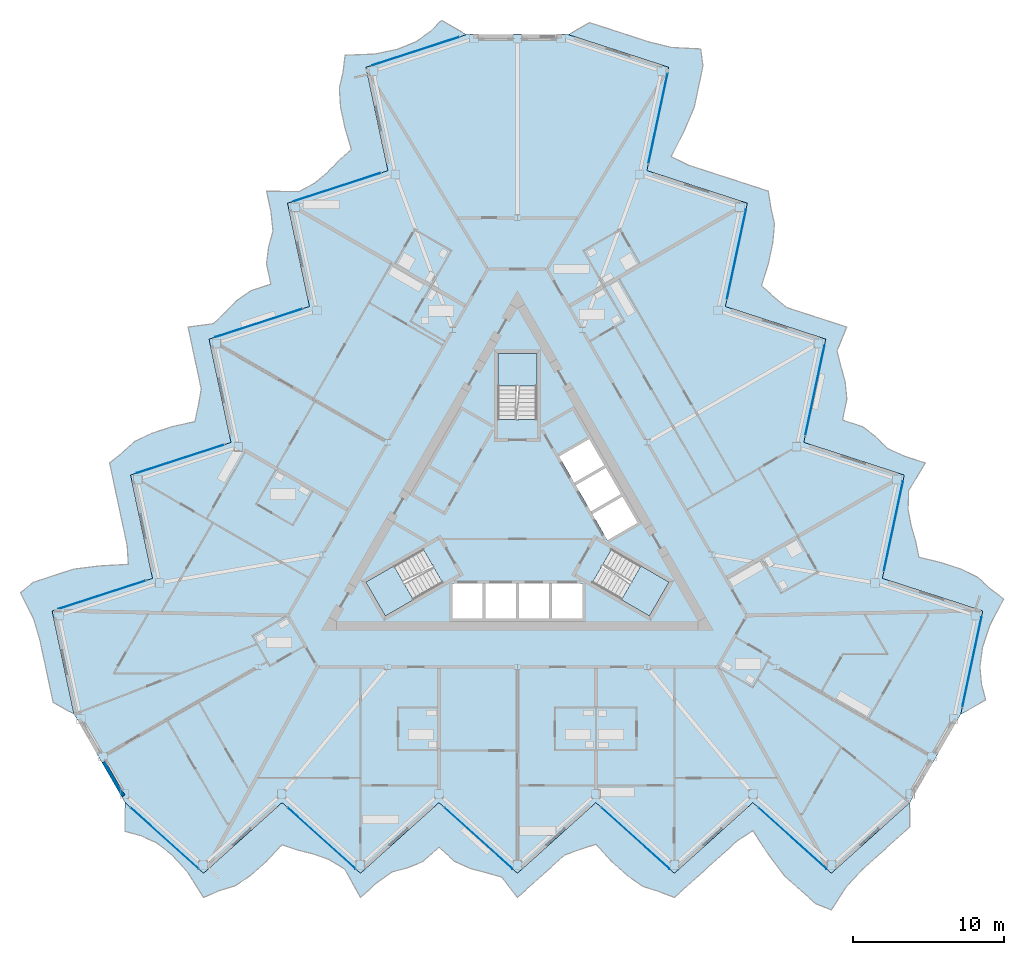
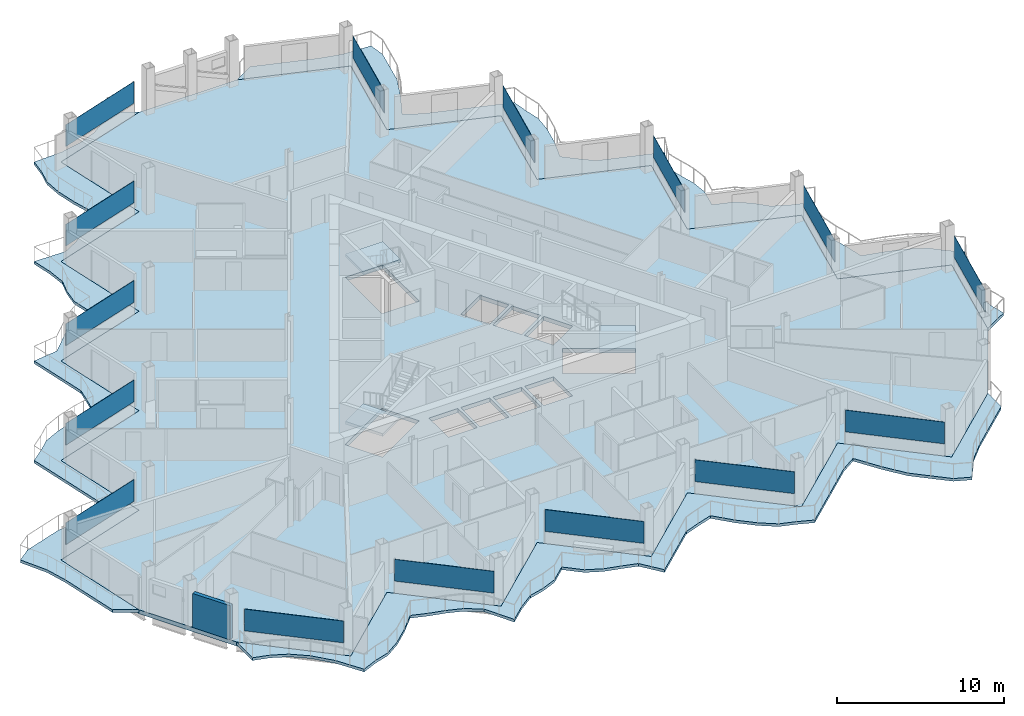
# One storey, part 12 of 27: 15 plates, 7 slabs, 1 wall, 18 elements without a shape of their own.
"""IFC4 building model written with IfcOpenShell, lengths in metres."""

from ifc_helpers import new_model, si_unit, direction, frame, frame_2d, origin, origin_2d, place, context, subcontext, project, spatial, polyline, rectangle, outline, extrude, material, layer, layer_set, type_object, element, aggregate, save


model = new_model("IFC4")

# Units and contexts
model_context = context("Model", 3, precision=1e-05, world=origin(), true_north=direction((0.0, 1.0)))
body_context = subcontext(model_context, "Body", "Model", "MODEL_VIEW")
ifc_project = project(units=[si_unit("LENGTHUNIT", "METRE"), si_unit("AREAUNIT", "SQUARE_METRE"), si_unit("VOLUMEUNIT", "CUBIC_METRE"), si_unit("PLANEANGLEUNIT", "RADIAN"), si_unit("MASSUNIT", "GRAM", prefix="KILO")], contexts=[model_context])

# Site, building, storey
site_placement = place(None, origin())
site = spatial("IfcSite", under=ifc_project, at=site_placement, CompositionType="ELEMENT")
building_placement = place(site_placement, origin())
building = spatial("IfcBuilding", under=site, at=building_placement, Name="Cormorant Prow Tower", CompositionType="ELEMENT")
storey_placement = place(building_placement, frame((0.0, 0.0, 315.39990234375)))
storey = spatial("IfcBuildingStorey", under=building, at=storey_placement, Name="L69", CompositionType="ELEMENT", Elevation=315.39990234375)

# Slabs
ifc_material_1 = material(Name="Concrete C40/50", Category="concrete")
ifc_layer_1 = layer(ifc_material_1, 0.199951171875)
ifc_layer_set_1 = layer_set([ifc_layer_1], Name="Concrete C40/50")
slab_type_1 = type_object("IfcSlabType", Name="Balcony slab 200", PredefinedType="FLOOR", material=ifc_layer_set_1)
slab_1_placement = place(storey_placement, frame((0.0, 0.0, -0.199951171875)))
element("IfcSlab", 1, at=slab_1_placement, inside=storey, type_object=slab_type_1, Name="Balcony slab S L69", PredefinedType="FLOOR", context=body_context, shape_type="SweptSolid", body=[
    extrude(outline(polyline([(-25.964111328125, -18.886474609375), (-25.964111328125, -20.78662109375), (-24.925537109375, -21.069580078125), (-23.886962890625, -21.544189453125), (-22.848388671875, -22.345458984375), (-21.809814453125, -23.512939453125), (-20.771240234375, -25.162109375), (-19.732666015625, -24.71533203125), (-18.694091796875, -24.397216796875), (-17.655517578125, -23.706787109375), (-16.616943359375, -22.771728515625), (-15.578369140625, -21.678955078125), (-14.539794921875, -22.0263671875), (-13.501220703125, -22.284423828125), (-12.462890625, -22.65185546875), (-11.42431640625, -23.295166015625), (-10.3857421875, -25.162109375), (-9.34716796875, -24.22705078125), (-8.30859375, -23.473388671875), (-7.27001953125, -23.204833984375), (-6.2314453125, -22.771728515625), (-5.19287109375, -21.83642578125), (-4.154296875, -22.771728515625), (-3.11572265625, -23.248046875), (-2.0771484375, -23.521728515625), (-1.03857421875, -23.816162109375), (0.0, -25.162109375), (1.03857421875, -24.22705078125), (2.0771484375, -23.2919921875), (3.11572265625, -22.356689453125), (4.154296875, -21.979248046875), (5.19287109375, -21.644287109375), (6.2314453125, -22.771728515625), (7.27001953125, -23.706787109375), (8.30859375, -24.433837890625), (9.34716796875, -24.76318359375), (10.3857421875, -25.162109375), (11.42431640625, -24.22705078125), (12.462890625, -23.2919921875), (13.501220703125, -22.356689453125), (14.539794921875, -21.421630859375), (15.578369140625, -20.738037109375), (16.616943359375, -22.331787109375), (17.655517578125, -23.706787109375), (18.694091796875, -24.641845703125), (19.732666015625, -25.56884765625), (20.771240234375, -25.990478515625), (21.809814453125, -24.386962890625), (22.848388671875, -23.2919921875), (23.886962890625, -22.356689453125), (24.925537109375, -21.421630859375), (25.964111328125, -20.486572265625), (25.964111328125, -18.886474609375), (24.925537109375, -19.82177734375), (23.886962890625, -20.7568359375), (22.848388671875, -21.69189453125), (21.809814453125, -22.626953125), (20.771240234375, -23.562255859375), (19.732666015625, -22.626953125), (18.694091796875, -21.69189453125), (17.655517578125, -20.7568359375), (16.616943359375, -19.82177734375), (15.578369140625, -18.886474609375), (14.539794921875, -19.82177734375), (13.501220703125, -20.7568359375), (12.462890625, -21.69189453125), (11.42431640625, -22.626953125), (10.3857421875, -23.562255859375), (9.34716796875, -22.626953125), (8.30859375, -21.69189453125), (7.27001953125, -20.7568359375), (6.2314453125, -19.82177734375), (5.19287109375, -18.886474609375), (4.154296875, -19.82177734375), (3.11572265625, -20.7568359375), (2.0771484375, -21.69189453125), (1.03857421875, -22.626953125), (0.0, -23.562255859375), (-1.03857421875, -22.626953125), (-2.0771484375, -21.69189453125), (-3.11572265625, -20.7568359375), (-4.154296875, -19.82177734375), (-5.19287109375, -18.886474609375), (-6.2314453125, -19.82177734375), (-7.27001953125, -20.7568359375), (-8.30859375, -21.69189453125), (-9.34716796875, -22.626953125), (-10.3857421875, -23.562255859375), (-11.42431640625, -22.626953125), (-12.462890625, -21.69189453125), (-13.501220703125, -20.7568359375), (-14.539794921875, -19.82177734375), (-15.578369140625, -18.886474609375), (-16.616943359375, -19.82177734375), (-17.655517578125, -20.7568359375), (-18.694091796875, -21.69189453125), (-19.732666015625, -22.626953125), (-20.771240234375, -23.562255859375), (-21.809814453125, -22.626953125), (-22.848388671875, -21.69189453125), (-23.886962890625, -20.7568359375), (-24.925537109375, -19.82177734375), (-25.964111328125, -18.886474609375)])), origin(), (0.0, 0.0, 1.0), 0.199951171875),
])
slab_2_placement = place(storey_placement, frame((0.0, 0.0, -0.199951171875)))
element("IfcSlab", 2, at=slab_2_placement, inside=storey, type_object=slab_type_1, Name="Balcony slab ENE L69", PredefinedType="FLOOR", context=body_context, shape_type="SweptSolid", body=[
    extrude(outline(polyline([(29.33837890625, -13.042236328125), (30.983642578125, -12.09228515625), (30.70947265625, -11.05126953125), (30.601318359375, -9.91455078125), (30.77587890625, -8.614501953125), (31.267822265625, -7.13134765625), (32.1767578125, -5.407470703125), (31.2705078125, -4.7314453125), (30.475830078125, -3.990966796875), (29.3583984375, -3.436767578125), (28.029296875, -3.0048828125), (26.563720703125, -2.65185546875), (26.345458984375, -1.57861328125), (26.049560546875, -0.55029296875), (25.848388671875, 0.53271484375), (25.886474609375, 1.75390625), (26.98388671875, 3.5869140625), (25.65478515625, 4.018798828125), (24.482666015625, 4.541259765625), (23.73095703125, 5.306396484375), (22.83642578125, 5.9892578125), (21.50732421875, 6.421142578125), (21.798095703125, 7.7880859375), (21.691162109375, 8.92578125), (21.408935546875, 9.9619140625), (21.14453125, 11.008544921875), (21.791015625, 12.5810546875), (20.4619140625, 13.012939453125), (19.1328125, 13.44482421875), (17.8037109375, 13.876708984375), (16.957275390625, 14.587158203125), (16.148193359375, 15.3193359375), (16.605224609375, 16.782470703125), (16.895751953125, 18.1494140625), (17.006103515625, 19.412353515625), (16.77197265625, 20.476318359375), (16.59814453125, 21.575439453125), (15.26904296875, 22.007080078125), (13.93994140625, 22.43896484375), (12.61083984375, 22.870849609375), (11.28173828125, 23.302734375), (10.17041015625, 23.8603515625), (11.031494140625, 25.556640625), (11.702880859375, 27.1435546875), (11.993408203125, 28.510498046875), (12.27685546875, 29.87353515625), (12.122802734375, 30.983642578125), (10.214599609375, 31.081298828125), (8.7470703125, 31.433349609375), (7.41796875, 31.865234375), (6.0888671875, 32.296875), (4.759765625, 32.728759765625), (3.374267578125, 31.928955078125), (4.703369140625, 31.4970703125), (6.032470703125, 31.065185546875), (7.361572265625, 30.63330078125), (8.690673828125, 30.201416015625), (10.019775390625, 29.76953125), (9.729248046875, 28.402587890625), (9.438720703125, 27.03564453125), (9.148193359375, 25.668701171875), (8.857666015625, 24.301513671875), (8.56689453125, 22.9345703125), (9.896240234375, 22.502685546875), (11.225341796875, 22.07080078125), (12.554443359375, 21.63916015625), (13.883544921875, 21.207275390625), (15.212646484375, 20.775390625), (14.922119140625, 19.408447265625), (14.631591796875, 18.041259765625), (14.3408203125, 16.67431640625), (14.05029296875, 15.307373046875), (13.759765625, 13.9404296875), (15.0888671875, 13.508544921875), (16.41796875, 13.07666015625), (17.747314453125, 12.644775390625), (19.076416015625, 12.212890625), (20.405517578125, 11.781005859375), (20.114990234375, 10.4140625), (19.82421875, 9.047119140625), (19.53369140625, 7.68017578125), (19.2431640625, 6.313232421875), (18.95263671875, 4.946044921875), (20.28173828125, 4.514404296875), (21.61083984375, 4.08251953125), (22.93994140625, 3.650634765625), (24.26904296875, 3.21875), (25.598388671875, 2.786865234375), (25.3076171875, 1.419921875), (25.01708984375, 0.052978515625), (24.7265625, -1.314208984375), (24.43603515625, -2.68115234375), (24.1455078125, -4.048095703125), (25.474609375, -4.47998046875), (26.8037109375, -4.911865234375), (28.1328125, -5.34375), (29.4619140625, -5.775634765625), (30.791015625, -6.207275390625), (30.50048828125, -7.574462890625), (30.2099609375, -8.94140625), (29.91943359375, -10.308349609375), (29.62890625, -11.67529296875), (29.33837890625, -13.042236328125)])), origin(), (0.0, 0.0, 1.0), 0.199951171875),
])
slab_3_placement = place(storey_placement, frame((0.0, 0.0, -0.199951171875)))
element("IfcSlab", 3, at=slab_3_placement, inside=storey, type_object=slab_type_1, Name="Balcony slab WNW L69", PredefinedType="FLOOR", context=body_context, shape_type="SweptSolid", body=[
    extrude(outline(polyline([(-3.374267578125, 31.928955078125), (-5.01953125, 32.87890625), (-5.783935546875, 32.120849609375), (-6.71435546875, 31.458740234375), (-7.927490234375, 30.9599609375), (-9.457763671875, 30.644287109375), (-11.405517578125, 30.569580078125), (-11.537841796875, 29.44677734375), (-11.781494140625, 28.38818359375), (-11.702880859375, 27.1435546875), (-11.412353515625, 25.776611328125), (-10.9853515625, 24.330810546875), (-11.805419921875, 23.605224609375), (-12.548095703125, 22.834716796875), (-13.385498046875, 22.118896484375), (-14.462158203125, 21.541259765625), (-16.59814453125, 21.575439453125), (-16.3076171875, 20.208251953125), (-16.17431640625, 18.93212890625), (-16.4609375, 17.8984375), (-16.605224609375, 16.782470703125), (-16.314697265625, 15.415283203125), (-17.643798828125, 14.983642578125), (-18.575439453125, 14.322265625), (-19.331787109375, 13.559814453125), (-20.10595703125, 12.807373046875), (-21.791015625, 12.5810546875), (-21.50048828125, 11.214111328125), (-21.2099609375, 9.84716796875), (-20.91943359375, 8.480224609375), (-21.111572265625, 7.391845703125), (-21.3408203125, 6.324951171875), (-22.83642578125, 5.9892578125), (-24.165771484375, 5.557373046875), (-25.314453125, 5.021484375), (-26.119140625, 4.286865234375), (-26.98388671875, 3.5869140625), (-26.693359375, 2.219970703125), (-26.40283203125, 0.852783203125), (-26.1123046875, -0.51416015625), (-25.82177734375, -1.881103515625), (-25.748779296875, -3.122314453125), (-27.6484375, -3.224853515625), (-29.3583984375, -3.436767578125), (-30.6875, -3.86865234375), (-32.009521484375, -4.3046875), (-32.89404296875, -4.9931640625), (-32.024658203125, -6.694580078125), (-31.595703125, -8.141357421875), (-31.304931640625, -9.50830078125), (-31.014404296875, -10.875244140625), (-30.723876953125, -12.242431640625), (-29.33837890625, -13.042236328125), (-29.62890625, -11.67529296875), (-29.91943359375, -10.308349609375), (-30.2099609375, -8.94140625), (-30.50048828125, -7.574462890625), (-30.791015625, -6.207275390625), (-29.4619140625, -5.775634765625), (-28.1328125, -5.34375), (-26.8037109375, -4.911865234375), (-25.474609375, -4.47998046875), (-24.1455078125, -4.048095703125), (-24.43603515625, -2.68115234375), (-24.7265625, -1.314208984375), (-25.01708984375, 0.052978515625), (-25.3076171875, 1.419921875), (-25.598388671875, 2.786865234375), (-24.26904296875, 3.21875), (-22.93994140625, 3.650634765625), (-21.61083984375, 4.08251953125), (-20.28173828125, 4.514404296875), (-18.95263671875, 4.946044921875), (-19.2431640625, 6.313232421875), (-19.53369140625, 7.68017578125), (-19.82421875, 9.047119140625), (-20.114990234375, 10.4140625), (-20.405517578125, 11.781005859375), (-19.076416015625, 12.212890625), (-17.747314453125, 12.644775390625), (-16.41796875, 13.07666015625), (-15.0888671875, 13.508544921875), (-13.759765625, 13.9404296875), (-14.05029296875, 15.307373046875), (-14.3408203125, 16.67431640625), (-14.631591796875, 18.041259765625), (-14.922119140625, 19.408447265625), (-15.212646484375, 20.775390625), (-13.883544921875, 21.207275390625), (-12.554443359375, 21.63916015625), (-11.225341796875, 22.07080078125), (-9.896240234375, 22.502685546875), (-8.56689453125, 22.9345703125), (-8.857666015625, 24.301513671875), (-9.148193359375, 25.668701171875), (-9.438720703125, 27.03564453125), (-9.729248046875, 28.402587890625), (-10.019775390625, 29.76953125), (-8.690673828125, 30.201416015625), (-7.361572265625, 30.63330078125), (-6.032470703125, 31.065185546875), (-4.703369140625, 31.4970703125), (-3.374267578125, 31.928955078125)])), origin(), (0.0, 0.0, 1.0), 0.199951171875),
])
ifc_material_2 = material(Name="Concrete C40/50", Category="concrete")
ifc_layer_2 = layer(ifc_material_2, 0.300048828125)
ifc_layer_set_2 = layer_set([ifc_layer_2], Name="Concrete C40/50")
slab_type_2 = type_object("IfcSlabType", Name="Post-tensioned flat slab 300", PredefinedType="FLOOR", material=ifc_layer_set_2)
slab_4_placement = place(storey_placement, frame((0.0, 0.0, -0.2998046875)))
element("IfcSlab", 4, at=slab_4_placement, inside=storey, type_object=slab_type_2, Name="Floor slab L69", PredefinedType="FLOOR", context=body_context, shape_type="SweptSolid", body=[
    extrude(outline(polyline([(-8.56689453125, 22.9345703125), (-15.212646484375, 20.775390625), (-13.759765625, 13.9404296875), (-20.405517578125, 11.781005859375), (-18.95263671875, 4.946044921875), (-25.598388671875, 2.786865234375), (-24.1455078125, -4.048095703125), (-30.791015625, -6.207275390625), (-29.33837890625, -13.042236328125), (-27.651123046875, -15.96435546875), (-25.964111328125, -18.886474609375), (-20.771240234375, -23.562255859375), (-15.578369140625, -18.886474609375), (-10.3857421875, -23.562255859375), (-5.19287109375, -18.886474609375), (0.0, -23.562255859375), (5.19287109375, -18.886474609375), (10.3857421875, -23.562255859375), (15.578369140625, -18.886474609375), (20.771240234375, -23.562255859375), (25.964111328125, -18.886474609375), (27.651123046875, -15.96435546875), (29.33837890625, -13.042236328125), (30.791015625, -6.207275390625), (24.1455078125, -4.048095703125), (25.598388671875, 2.786865234375), (18.95263671875, 4.946044921875), (20.405517578125, 11.781005859375), (13.759765625, 13.9404296875), (15.212646484375, 20.775390625), (8.56689453125, 22.9345703125), (10.019775390625, 29.76953125), (3.374267578125, 31.928955078125), (0.0, 31.928955078125), (-3.374267578125, 31.928955078125), (-10.019775390625, 29.76953125), (-8.56689453125, 22.9345703125)]), holes=[polyline([(-4.300048828125, -4.39990234375), (-2.300048828125, -4.39990234375), (-2.300048828125, -6.699951171875), (-4.300048828125, -6.699951171875), (-4.300048828125, -4.39990234375)]), polyline([(-0.10009765625, -4.39990234375), (-0.10009765625, -6.699951171875), (-2.10009765625, -6.699951171875), (-2.10009765625, -4.39990234375), (-0.10009765625, -4.39990234375)]), polyline([(2.10009765625, -6.699951171875), (0.10009765625, -6.699951171875), (0.10009765625, -4.39990234375), (2.10009765625, -4.39990234375), (2.10009765625, -6.699951171875)]), polyline([(2.300048828125, -6.699951171875), (2.300048828125, -4.39990234375), (4.300048828125, -4.39990234375), (4.300048828125, -6.699951171875), (2.300048828125, -6.699951171875)]), polyline([(5.96044921875, -1.52392578125), (4.96044921875, 0.2080078125), (6.952392578125, 1.358154296875), (7.952392578125, -0.373779296875), (5.96044921875, -1.52392578125)]), polyline([(3.860595703125, 2.11328125), (5.852294921875, 3.263427734375), (6.852294921875, 1.53125), (4.860595703125, 0.38134765625), (3.860595703125, 2.11328125)]), polyline([(4.75244140625, 5.168701171875), (5.75244140625, 3.4365234375), (3.760498046875, 2.28662109375), (2.760498046875, 4.018798828125), (4.75244140625, 5.168701171875)]), polyline([(-4.947509765625, -4.3505859375), (-8.738037109375, -6.5390625), (-10.031982421875, -4.2978515625), (-6.241455078125, -2.109375), (-4.947509765625, -4.3505859375)]), polyline([(10.031982421875, -4.2978515625), (8.738037109375, -6.5390625), (4.947509765625, -4.3505859375), (6.241455078125, -2.109375), (10.031982421875, -4.2978515625)]), polyline([(1.2939453125, 10.8369140625), (1.2939453125, 6.459716796875), (-1.2939453125, 6.459716796875), (-1.2939453125, 10.8369140625), (1.2939453125, 10.8369140625)])]), origin(), (0.0, 0.0, 1.0), 0.2998046875),
])

# Curtain wall, plate
ifc_material_3 = material(Name="Aluminium 6063-T6", Category="aluminium")
ifc_layer_3 = layer(ifc_material_3, 0.159912109375)
ifc_layer_set_3 = layer_set([ifc_layer_3], Name="Aluminium 6063-T6")
curtain_wall_type = type_object("IfcCurtainWallType", Name="Residential unitised curtain wall 160", PredefinedType="NOTDEFINED", material=ifc_layer_set_3)
curtain_wall_1_placement = place(storey_placement, origin())
curtain_wall_1 = element("IfcCurtainWall", 5, at=curtain_wall_1_placement, inside=storey, type_object=curtain_wall_type, Name="Residential curtain wall S00", PredefinedType="NOTDEFINED")
ifc_material_4 = material(Name="Clear glass", Category="glass")
ifc_layer_4 = layer(ifc_material_4, 0.02392578125)
ifc_layer_set_4 = layer_set([ifc_layer_4], Name="Clear glass")
plate_type = type_object("IfcPlateType", Name="Residential glass panel 24", PredefinedType="CURTAIN_PANEL", material=ifc_layer_set_4)
plate_1_placement = place(storey_placement, frame((-23.34912109375, -21.2412109375, 0.900146484375), z_axis=(0.0, 0.0, 1.0), x_axis=(0.743144813413, -0.669130619757, 0.0)))
plate_1 = element("IfcPlate", 6, at=plate_1_placement, type_object=plate_type, Name="Residential glass panel S00", PredefinedType="CURTAIN_PANEL", context=body_context, shape_type="SweptSolid", body=[
    extrude(rectangle(XDim=6.069580078125, YDim=0.02392578125, at=origin_2d()), origin(), (0.0, 0.0, 1.0), 1.587890625),
])
aggregate(curtain_wall_1, [plate_1])

curtain_wall_2_placement = place(storey_placement, origin())
curtain_wall_2 = element("IfcCurtainWall", 7, at=curtain_wall_2_placement, inside=storey, type_object=curtain_wall_type, Name="Residential curtain wall S02", PredefinedType="NOTDEFINED")
plate_2_placement = place(storey_placement, frame((-12.96337890625, -21.2412109375, 0.900146484375), z_axis=(0.0, 0.0, 1.0), x_axis=(0.743144813413, -0.669130619757, 0.0)))
plate_2 = element("IfcPlate", 8, at=plate_2_placement, type_object=plate_type, Name="Residential glass panel S02", PredefinedType="CURTAIN_PANEL", context=body_context, shape_type="SweptSolid", body=[
    extrude(rectangle(XDim=6.069580078125, YDim=0.02392578125, at=origin_2d()), origin(), (0.0, 0.0, 1.0), 1.587890625),
])
aggregate(curtain_wall_2, [plate_2])

curtain_wall_3_placement = place(storey_placement, origin())
curtain_wall_3 = element("IfcCurtainWall", 9, at=curtain_wall_3_placement, inside=storey, type_object=curtain_wall_type, Name="Residential curtain wall S04", PredefinedType="NOTDEFINED")
plate_3_placement = place(storey_placement, frame((-2.577880859375, -21.2412109375, 0.900146484375), z_axis=(0.0, 0.0, 1.0), x_axis=(0.743144813413, -0.669130619757, 0.0)))
plate_3 = element("IfcPlate", 10, at=plate_3_placement, type_object=plate_type, Name="Residential glass panel S04", PredefinedType="CURTAIN_PANEL", context=body_context, shape_type="SweptSolid", body=[
    extrude(rectangle(XDim=6.069580078125, YDim=0.02392578125, at=origin_2d()), origin(), (0.0, 0.0, 1.0), 1.587890625),
])
aggregate(curtain_wall_3, [plate_3])

curtain_wall_4_placement = place(storey_placement, origin())
curtain_wall_4 = element("IfcCurtainWall", 11, at=curtain_wall_4_placement, inside=storey, type_object=curtain_wall_type, Name="Residential curtain wall S06", PredefinedType="NOTDEFINED")
plate_4_placement = place(storey_placement, frame((7.807861328125, -21.2412109375, 0.900146484375), z_axis=(0.0, 0.0, 1.0), x_axis=(0.743144813413, -0.669130619757, 0.0)))
plate_4 = element("IfcPlate", 12, at=plate_4_placement, type_object=plate_type, Name="Residential glass panel S06", PredefinedType="CURTAIN_PANEL", context=body_context, shape_type="SweptSolid", body=[
    extrude(rectangle(XDim=6.069580078125, YDim=0.02392578125, at=origin_2d()), origin(), (0.0, 0.0, 1.0), 1.587890625),
])
aggregate(curtain_wall_4, [plate_4])

curtain_wall_5_placement = place(storey_placement, origin())
curtain_wall_5 = element("IfcCurtainWall", 13, at=curtain_wall_5_placement, inside=storey, type_object=curtain_wall_type, Name="Residential curtain wall S08", PredefinedType="NOTDEFINED")
plate_5_placement = place(storey_placement, frame((18.193359375, -21.2412109375, 0.900146484375), z_axis=(0.0, 0.0, 1.0), x_axis=(0.743144813413, -0.669130619757, 0.0)))
plate_5 = element("IfcPlate", 14, at=plate_5_placement, type_object=plate_type, Name="Residential glass panel S08", PredefinedType="CURTAIN_PANEL", context=body_context, shape_type="SweptSolid", body=[
    extrude(rectangle(XDim=6.069580078125, YDim=0.02392578125, at=origin_2d()), origin(), (0.0, 0.0, 1.0), 1.587890625),
])
aggregate(curtain_wall_5, [plate_5])

curtain_wall_6_placement = place(storey_placement, origin())
curtain_wall_6 = element("IfcCurtainWall", 15, at=curtain_wall_6_placement, inside=storey, type_object=curtain_wall_type, Name="Residential curtain wall ENE00", PredefinedType="NOTDEFINED")
plate_6_placement = place(storey_placement, frame((30.06982421875, -9.600341796875, 0.900146484375), z_axis=(0.0, 0.0, 1.0), x_axis=(0.207911622991, 0.978147615151, 0.0)))
plate_6 = element("IfcPlate", 16, at=plate_6_placement, type_object=plate_type, Name="Residential glass panel ENE00", PredefinedType="CURTAIN_PANEL", context=body_context, shape_type="SweptSolid", body=[
    extrude(rectangle(XDim=6.069580078125, YDim=0.02392578125, at=origin_2d()), origin(), (0.0, 0.0, 1.0), 1.587890625),
])
aggregate(curtain_wall_6, [plate_6])

curtain_wall_7_placement = place(storey_placement, origin())
curtain_wall_7 = element("IfcCurtainWall", 17, at=curtain_wall_7_placement, inside=storey, type_object=curtain_wall_type, Name="Residential curtain wall ENE02", PredefinedType="NOTDEFINED")
plate_7_placement = place(storey_placement, frame((24.876953125, -0.606201171875, 0.900146484375), z_axis=(0.0, 0.0, 1.0), x_axis=(0.207911759908, 0.978147586048, 0.0)))
plate_7 = element("IfcPlate", 18, at=plate_7_placement, type_object=plate_type, Name="Residential glass panel ENE02", PredefinedType="CURTAIN_PANEL", context=body_context, shape_type="SweptSolid", body=[
    extrude(rectangle(XDim=6.069580078125, YDim=0.02392578125, at=origin_2d()), origin(), (0.0, 0.0, 1.0), 1.587890625),
])
aggregate(curtain_wall_7, [plate_7])

curtain_wall_8_placement = place(storey_placement, origin())
curtain_wall_8 = element("IfcCurtainWall", 19, at=curtain_wall_8_placement, inside=storey, type_object=curtain_wall_type, Name="Residential curtain wall ENE04", PredefinedType="NOTDEFINED")
plate_8_placement = place(storey_placement, frame((19.684326171875, 8.38818359375, 0.900146484375), z_axis=(0.0, 0.0, 1.0), x_axis=(0.207911759908, 0.978147586048, 0.0)))
plate_8 = element("IfcPlate", 20, at=plate_8_placement, type_object=plate_type, Name="Residential glass panel ENE04", PredefinedType="CURTAIN_PANEL", context=body_context, shape_type="SweptSolid", body=[
    extrude(rectangle(XDim=6.069580078125, YDim=0.02392578125, at=origin_2d()), origin(), (0.0, 0.0, 1.0), 1.587890625),
])
aggregate(curtain_wall_8, [plate_8])

curtain_wall_9_placement = place(storey_placement, origin())
curtain_wall_9 = element("IfcCurtainWall", 21, at=curtain_wall_9_placement, inside=storey, type_object=curtain_wall_type, Name="Residential curtain wall ENE06", PredefinedType="NOTDEFINED")
plate_9_placement = place(storey_placement, frame((14.491455078125, 17.38232421875, 0.900146484375), z_axis=(0.0, 0.0, 1.0), x_axis=(0.207911759908, 0.978147586048, 0.0)))
plate_9 = element("IfcPlate", 22, at=plate_9_placement, type_object=plate_type, Name="Residential glass panel ENE06", PredefinedType="CURTAIN_PANEL", context=body_context, shape_type="SweptSolid", body=[
    extrude(rectangle(XDim=6.069580078125, YDim=0.02392578125, at=origin_2d()), origin(), (0.0, 0.0, 1.0), 1.587890625),
])
aggregate(curtain_wall_9, [plate_9])

curtain_wall_10_placement = place(storey_placement, origin())
curtain_wall_10 = element("IfcCurtainWall", 23, at=curtain_wall_10_placement, inside=storey, type_object=curtain_wall_type, Name="Residential curtain wall ENE08", PredefinedType="NOTDEFINED")
plate_10_placement = place(storey_placement, frame((9.298583984375, 26.37646484375, 0.900146484375), z_axis=(0.0, 0.0, 1.0), x_axis=(0.207911622991, 0.978147615151, 0.0)))
plate_10 = element("IfcPlate", 24, at=plate_10_placement, type_object=plate_type, Name="Residential glass panel ENE08", PredefinedType="CURTAIN_PANEL", context=body_context, shape_type="SweptSolid", body=[
    extrude(rectangle(XDim=6.069580078125, YDim=0.02392578125, at=origin_2d()), origin(), (0.0, 0.0, 1.0), 1.587890625),
])
aggregate(curtain_wall_10, [plate_10])

curtain_wall_11_placement = place(storey_placement, origin())
curtain_wall_11 = element("IfcCurtainWall", 25, at=curtain_wall_11_placement, inside=storey, type_object=curtain_wall_type, Name="Residential curtain wall WNW00", PredefinedType="NOTDEFINED")
plate_11_placement = place(storey_placement, frame((-6.720703125, 30.841552734375, 0.900146484375), z_axis=(0.0, 0.0, 1.0), x_axis=(-0.951056532303, -0.309016945109, 0.0)))
plate_11 = element("IfcPlate", 26, at=plate_11_placement, type_object=plate_type, Name="Residential glass panel WNW00", PredefinedType="CURTAIN_PANEL", context=body_context, shape_type="SweptSolid", body=[
    extrude(rectangle(XDim=6.069580078125, YDim=0.02392578125, at=origin_2d()), origin(), (0.0, 0.0, 1.0), 1.587890625),
])
aggregate(curtain_wall_11, [plate_11])

curtain_wall_12_placement = place(storey_placement, origin())
curtain_wall_12 = element("IfcCurtainWall", 27, at=curtain_wall_12_placement, inside=storey, type_object=curtain_wall_type, Name="Residential curtain wall WNW02", PredefinedType="NOTDEFINED")
plate_12_placement = place(storey_placement, frame((-11.91357421875, 21.84716796875, 0.900146484375), z_axis=(0.0, 0.0, 1.0), x_axis=(-0.951056532303, -0.309016945109, 0.0)))
plate_12 = element("IfcPlate", 28, at=plate_12_placement, type_object=plate_type, Name="Residential glass panel WNW02", PredefinedType="CURTAIN_PANEL", context=body_context, shape_type="SweptSolid", body=[
    extrude(rectangle(XDim=6.069580078125, YDim=0.02392578125, at=origin_2d()), origin(), (0.0, 0.0, 1.0), 1.587890625),
])
aggregate(curtain_wall_12, [plate_12])

curtain_wall_13_placement = place(storey_placement, origin())
curtain_wall_13 = element("IfcCurtainWall", 29, at=curtain_wall_13_placement, inside=storey, type_object=curtain_wall_type, Name="Residential curtain wall WNW04", PredefinedType="NOTDEFINED")
plate_13_placement = place(storey_placement, frame((-17.1064453125, 12.85302734375, 0.900146484375), z_axis=(0.0, 0.0, 1.0), x_axis=(-0.95105649024, -0.309017074565, 0.0)))
plate_13 = element("IfcPlate", 30, at=plate_13_placement, type_object=plate_type, Name="Residential glass panel WNW04", PredefinedType="CURTAIN_PANEL", context=body_context, shape_type="SweptSolid", body=[
    extrude(rectangle(XDim=6.069580078125, YDim=0.02392578125, at=origin_2d()), origin(), (0.0, 0.0, 1.0), 1.587890625),
])
aggregate(curtain_wall_13, [plate_13])

curtain_wall_14_placement = place(storey_placement, origin())
curtain_wall_14 = element("IfcCurtainWall", 31, at=curtain_wall_14_placement, inside=storey, type_object=curtain_wall_type, Name="Residential curtain wall WNW06", PredefinedType="NOTDEFINED")
plate_14_placement = place(storey_placement, frame((-22.29931640625, 3.85888671875, 0.900146484375), z_axis=(0.0, 0.0, 1.0), x_axis=(-0.951056518636, -0.309016987171, 0.0)))
plate_14 = element("IfcPlate", 32, at=plate_14_placement, type_object=plate_type, Name="Residential glass panel WNW06", PredefinedType="CURTAIN_PANEL", context=body_context, shape_type="SweptSolid", body=[
    extrude(rectangle(XDim=6.069580078125, YDim=0.02392578125, at=origin_2d()), origin(), (0.0, 0.0, 1.0), 1.587890625),
])
aggregate(curtain_wall_14, [plate_14])

curtain_wall_15_placement = place(storey_placement, origin())
curtain_wall_15 = element("IfcCurtainWall", 33, at=curtain_wall_15_placement, inside=storey, type_object=curtain_wall_type, Name="Residential curtain wall WNW08", PredefinedType="NOTDEFINED")
plate_15_placement = place(storey_placement, frame((-27.491943359375, -5.135498046875, 0.900146484375), z_axis=(0.0, 0.0, 1.0), x_axis=(-0.951056532303, -0.309016945109, 0.0)))
plate_15 = element("IfcPlate", 34, at=plate_15_placement, type_object=plate_type, Name="Residential glass panel WNW08", PredefinedType="CURTAIN_PANEL", context=body_context, shape_type="SweptSolid", body=[
    extrude(rectangle(XDim=6.069580078125, YDim=0.02392578125, at=origin_2d()), origin(), (0.0, 0.0, 1.0), 1.587890625),
])
aggregate(curtain_wall_15, [plate_15])

# Stair, slab
ifc_material_5 = material(Name="Exit stair 18 risers")
stair_type = type_object("IfcStairType", Name="Exit stair 18 risers", PredefinedType="HALF_TURN_STAIR", material=ifc_material_5)
stair_1_placement = place(storey_placement, origin())
stair_1 = element("IfcStair", 35, at=stair_1_placement, inside=storey, type_object=stair_type, Name="L69 Exit stair ST1", PredefinedType="HALF_TURN_STAIR")
ifc_material_6 = material(Name="Concrete 5000 psi", Category="concrete")
ifc_layer_5 = layer(ifc_material_6, 0.199951171875)
ifc_layer_set_5 = layer_set([ifc_layer_5], Name="Concrete 5000 psi")
slab_type_3 = type_object("IfcSlabType", Name="Stair landing 200", PredefinedType="LANDING", material=ifc_layer_set_5)
slab_5_placement = place(storey_placement, frame((0.0, 0.0, 1.5)))
slab_5 = element("IfcSlab", 36, at=slab_5_placement, type_object=slab_type_3, Name="ST1 landing 1", PredefinedType="LANDING", context=body_context, shape_type="SweptSolid", body=[
    extrude(outline(polyline([(-8.17431640625, -3.225341796875), (-10.031982421875, -4.2978515625), (-8.738037109375, -6.5390625), (-6.88037109375, -5.466552734375), (-8.17431640625, -3.225341796875)])), origin(), (0.0, 0.0, 1.0), 0.2001953125),
])
aggregate(stair_1, [slab_5])

stair_2_placement = place(storey_placement, origin())
stair_2 = element("IfcStair", 37, at=stair_2_placement, inside=storey, type_object=stair_type, Name="L69 Exit stair ST2", PredefinedType="HALF_TURN_STAIR")
slab_6_placement = place(storey_placement, frame((0.0, 0.0, 1.5)))
slab_6 = element("IfcSlab", 38, at=slab_6_placement, type_object=slab_type_3, Name="ST2 landing 1", PredefinedType="LANDING", context=body_context, shape_type="SweptSolid", body=[
    extrude(outline(polyline([(6.88037109375, -5.466552734375), (8.738037109375, -6.5390625), (10.031982421875, -4.2978515625), (8.17431640625, -3.225341796875), (6.88037109375, -5.466552734375)])), origin(), (0.0, 0.0, 1.0), 0.2001953125),
])
aggregate(stair_2, [slab_6])

stair_3_placement = place(storey_placement, origin())
stair_3 = element("IfcStair", 39, at=stair_3_placement, inside=storey, type_object=stair_type, Name="L69 Exit stair ST3", PredefinedType="HALF_TURN_STAIR")
slab_7_placement = place(storey_placement, frame((0.0, 0.0, 1.5)))
slab_7 = element("IfcSlab", 40, at=slab_7_placement, type_object=slab_type_3, Name="ST3 landing 1", PredefinedType="LANDING", context=body_context, shape_type="SweptSolid", body=[
    extrude(outline(polyline([(1.2939453125, 8.69189453125), (1.2939453125, 10.8369140625), (-1.2939453125, 10.8369140625), (-1.2939453125, 8.69189453125), (1.2939453125, 8.69189453125)])), origin(), (0.0, 0.0, 1.0), 0.2001953125),
])
aggregate(stair_3, [slab_7])

# Wall
ifc_material_7 = material(Name="Terracotta", Category="masonry")
ifc_layer_6 = layer(ifc_material_7, 0.25)
ifc_layer_set_6 = layer_set([ifc_layer_6], Name="Terracotta")
wall_type = type_object("IfcWallType", Name="Terracotta bay wall 250", PredefinedType="SOLIDWALL", material=ifc_layer_set_6)
wall_placement = place(storey_placement, frame((-27.377685546875, -16.18798828125, 0.0), z_axis=(0.0, 0.0, 1.0), x_axis=(0.499992367345, -0.866029810455, 0.0)))
element("IfcWall", 41, at=wall_placement, inside=storey, type_object=wall_type, Name="Terracotta bay wall WSW01", PredefinedType="SOLIDWALL", context=body_context, shape_type="SweptSolid", body=[
    extrude(rectangle(XDim=2.60986328125, YDim=0.25, at=frame_2d((1.304931640625, 0.0))), origin(), (0.0, 0.0, 1.0), 2.488037109375),
])

save(model, "model.ifc")
